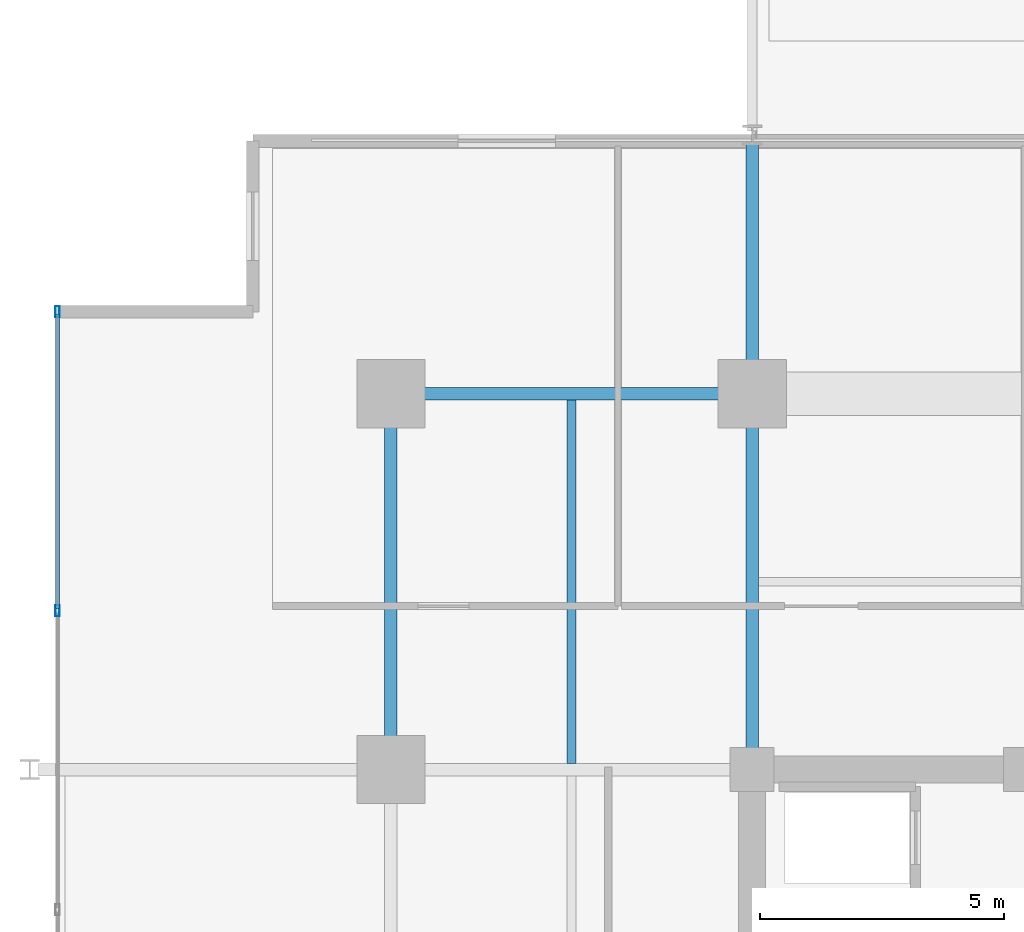
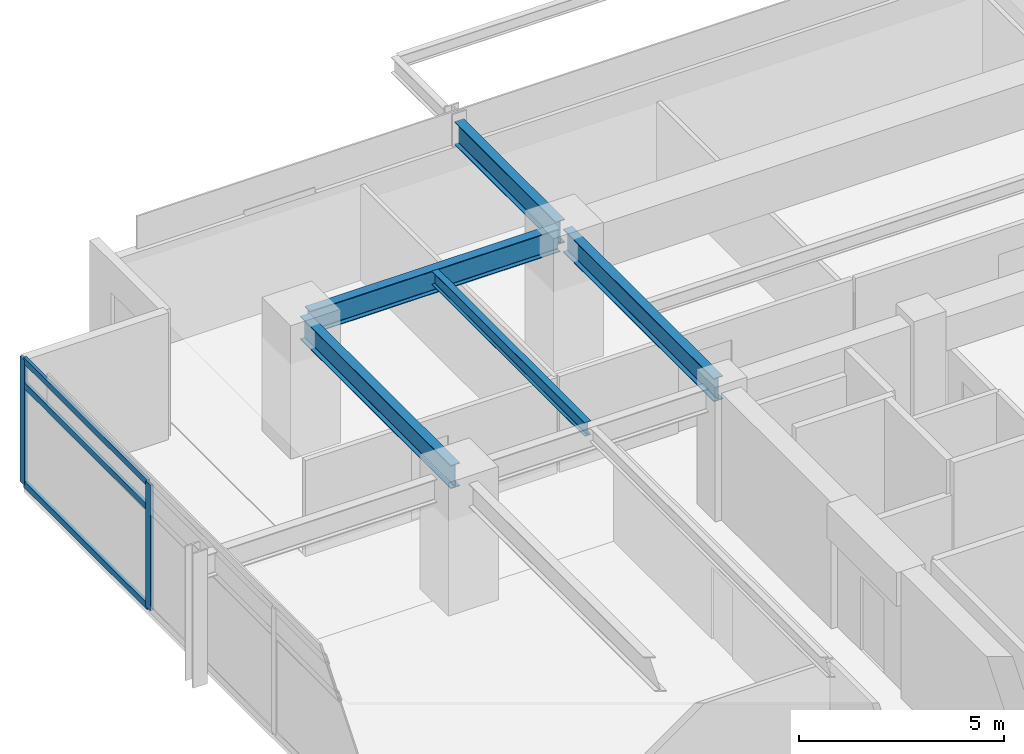
# One storey, part 11 of 20: 5 beams, 5 members, 1 element without a shape of its own.
"""IFC4 building model written with IfcOpenShell, lengths in metres."""

from ifc_helpers import new_model, si_unit, direction, frame, origin, origin_2d, place, context, subcontext, project, spatial, hollow_rectangle, i_section, extrude, material, material_profile, profile_set, type_object, element, aggregate, save


model = new_model("IFC4")

# Units and contexts
model_context = context("Model", 3, precision=1e-05, world=origin(), true_north=direction((0.0, 1.0)))
body_context = subcontext(model_context, "Body", "Model", "MODEL_VIEW")
ifc_project = project(units=[si_unit("LENGTHUNIT", "METRE"), si_unit("AREAUNIT", "SQUARE_METRE"), si_unit("VOLUMEUNIT", "CUBIC_METRE"), si_unit("PLANEANGLEUNIT", "RADIAN"), si_unit("MASSUNIT", "GRAM", prefix="KILO")], contexts=[model_context])

# Site, building, storey
site_placement = place(None, origin())
site = spatial("IfcSite", under=ifc_project, at=site_placement, CompositionType="ELEMENT")
building_placement = place(site_placement, origin())
building = spatial("IfcBuilding", under=site, at=building_placement, Name="Kovane Verandah Tower", CompositionType="ELEMENT")
storey_placement = place(building_placement, frame((0.0, 0.0, 213.199951171875)))
storey = spatial("IfcBuildingStorey", under=building, at=storey_placement, Name="L49", CompositionType="ELEMENT", Elevation=213.199951171875)

# Beams
ifc_material_1 = material(Name="Steel S355", Category="steel")
ifc_material_profile_1 = material_profile(ifc_material_1, i_section(OverallWidth=0.255859375, OverallDepth=0.69287109375, WebThickness=0.014404296875, FlangeThickness=0.023681640625, FilletRadius=0.01513671875, at=origin_2d()), Name="UB686x254x170")
ifc_profile_set_1 = profile_set([ifc_material_profile_1], Name="Steel S355")
beam_type_1 = type_object("IfcBeamType", Name="BM-UB686x170", PredefinedType="BEAM", material=ifc_profile_set_1)
beam_1_placement = place(storey_placement, frame((21.780029296875, 44.199951171875, 3.428466796875), z_axis=(1.0, 0.0, 0.0), x_axis=(0.0, 1.0, 0.0)))
element("IfcBeam", 1, at=beam_1_placement, inside=storey, type_object=beam_type_1, Name="L49 Primary Tower Girder G-RN1", PredefinedType="BEAM", context=body_context, shape_type="SweptSolid", body=[
    extrude(i_section(OverallWidth=0.255859375, OverallDepth=0.69287109375, WebThickness=0.014404296875, FlangeThickness=0.023681640625, FilletRadius=0.01513671875, at=origin_2d()), origin(), (0.0, 0.0, 1.0), 7.0400390625),
])
for number, where, z_axis, x_axis, name in (
    (2, (21.60009765625, 36.679931640625, 3.428466796875), (0.0, 1.0, 0.0), (-1.0, 0.0, 0.0), "L49 Primary Tower Girder G-RW3"),
    (3, (29.0, 36.679931640625, 3.428466796875), (0.0, 1.0, 0.0), (-1.0, 0.0, 0.0), "L49 Primary Tower Girder G-N1"),
):
    element("IfcBeam", number, at=place(storey_placement, frame(where, z_axis=z_axis, x_axis=x_axis)), inside=storey, type_object=beam_type_1, Name=name, PredefinedType="BEAM", context=body_context, shape_type="SweptSolid", body=[
        extrude(i_section(OverallWidth=0.255859375, OverallDepth=0.69287109375, WebThickness=0.014404296875, FlangeThickness=0.023681640625, FilletRadius=0.01513671875, at=origin_2d()), origin(), (0.0, 0.0, 1.0), 7.340087890625),
    ])
beam_2_placement = place(storey_placement, frame((29.0, 44.3798828125, 3.41357421875), z_axis=(0.0, 1.0, 0.0), x_axis=(-1.0, 0.0, 0.0)))
element("IfcBeam", 4, at=beam_2_placement, inside=storey, type_object=beam_type_1, Name="L49 Primary Tower Girder G-VN1", PredefinedType="BEAM", context=body_context, shape_type="SweptSolid", body=[
    extrude(i_section(OverallWidth=0.255859375, OverallDepth=0.69287109375, WebThickness=0.014404296875, FlangeThickness=0.023681640625, FilletRadius=0.01513671875, at=origin_2d()), origin(), (0.0, 0.0, 1.0), 4.940185546875),
])

# Curtain wall, members
ifc_material_2 = material(Name="Champagne Anodised Aluminium Frame with Low-E Clear Laminated Glass", Category="aluminium")
curtain_wall_type = type_object("IfcCurtainWallType", Name="CW-SYS-03-MID", PredefinedType="NOTDEFINED", material=ifc_material_2)
curtain_wall_placement = place(storey_placement, origin())
curtain_wall = element("IfcCurtainWall", 5, at=curtain_wall_placement, inside=storey, type_object=curtain_wall_type, Name="L49 W Unitised Curtain Wall", PredefinedType="NOTDEFINED")
ifc_material_3 = material(Name="Champagne Anodised Aluminium 6063-T6", Category="aluminium")
ifc_material_profile_2 = material_profile(ifc_material_3, hollow_rectangle(XDim=0.0849609375, YDim=0.22998046875, WallThickness=0.00390625, at=origin_2d()), Name="AL85x230x4")
ifc_profile_set_2 = profile_set([ifc_material_profile_2], Name="Champagne Anodised Aluminium 6063-T6")
member_type_1 = type_object("IfcMemberType", Name="CW-MUL-85x230", PredefinedType="MULLION", material=ifc_profile_set_2)
member_1_placement = place(storey_placement, frame((14.768310546875, 45.880615234375, 0.02001953125), z_axis=(0.0, 0.0, 1.0), x_axis=(-1.0, 0.0, 0.0)))
member_1 = element("IfcMember", 6, at=member_1_placement, type_object=member_type_1, Name="L49 W Unitised Curtain Wall Mullion 1", PredefinedType="MULLION", context=body_context, shape_type="SweptSolid", body=[
    extrude(hollow_rectangle(XDim=0.0849609375, YDim=0.22998046875, WallThickness=0.00390625, at=origin_2d()), origin(), (0.0, 0.0, 1.0), 3.735107421875),
])
member_2_placement = place(storey_placement, frame((14.768310546875, 39.753662109375, 0.02001953125), z_axis=(0.0, 0.0, 1.0), x_axis=(-1.0, 0.0, 0.0)))
member_2 = element("IfcMember", 7, at=member_2_placement, type_object=member_type_1, Name="L49 W Unitised Curtain Wall Mullion 2", PredefinedType="MULLION", context=body_context, shape_type="SweptSolid", body=[
    extrude(hollow_rectangle(XDim=0.0849609375, YDim=0.22998046875, WallThickness=0.00390625, at=origin_2d()), origin(), (0.0, 0.0, 1.0), 3.735107421875),
])
ifc_material_profile_3 = material_profile(ifc_material_3, hollow_rectangle(XDim=0.0849609375, YDim=0.18994140625, WallThickness=0.00390625, at=origin_2d()), Name="AL85x190x4")
ifc_profile_set_3 = profile_set([ifc_material_profile_3], Name="Champagne Anodised Aluminium 6063-T6")
member_type_2 = type_object("IfcMemberType", Name="CW-TRN-85x190", PredefinedType="USERDEFINED", material=ifc_profile_set_3)
member_3_placement = place(storey_placement, frame((14.768310546875, 45.83056640625, 0.050048828125), z_axis=(0.0, -1.0, 0.0), x_axis=(1.0, 0.0, 0.0)))
member_3 = element("IfcMember", 8, at=member_3_placement, type_object=member_type_2, Name="L49 W Unitised Curtain Wall Transom TB Bay 1", ObjectType="TRANSOM", PredefinedType="USERDEFINED", context=body_context, shape_type="SweptSolid", body=[
    extrude(hollow_rectangle(XDim=0.0849609375, YDim=0.18994140625, WallThickness=0.00390625, at=origin_2d()), origin(), (0.0, 0.0, 1.0), 6.02685546875),
])
member_4_placement = place(storey_placement, frame((14.768310546875, 45.83056640625, 2.9951171875), z_axis=(0.0, -1.0, 0.0), x_axis=(1.0, 0.0, 0.0)))
member_4 = element("IfcMember", 9, at=member_4_placement, type_object=member_type_2, Name="L49 W Unitised Curtain Wall Transom TM Bay 1", ObjectType="TRANSOM", PredefinedType="USERDEFINED", context=body_context, shape_type="SweptSolid", body=[
    extrude(hollow_rectangle(XDim=0.0849609375, YDim=0.18994140625, WallThickness=0.00390625, at=origin_2d()), origin(), (0.0, 0.0, 1.0), 6.02685546875),
])
member_5_placement = place(storey_placement, frame((14.768310546875, 45.83056640625, 3.72509765625), z_axis=(0.0, -1.0, 0.0), x_axis=(1.0, 0.0, 0.0)))
member_5 = element("IfcMember", 10, at=member_5_placement, type_object=member_type_2, Name="L49 W Unitised Curtain Wall Transom TT Bay 1", ObjectType="TRANSOM", PredefinedType="USERDEFINED", context=body_context, shape_type="SweptSolid", body=[
    extrude(hollow_rectangle(XDim=0.0849609375, YDim=0.18994140625, WallThickness=0.00390625, at=origin_2d()), origin(), (0.0, 0.0, 1.0), 6.02685546875),
])
aggregate(curtain_wall, [member_1, member_2, member_3, member_4, member_5])

# Beam
ifc_material_profile_4 = material_profile(ifc_material_1, i_section(OverallWidth=0.179443359375, OverallDepth=0.412841796875, WebThickness=0.009521484375, FlangeThickness=0.01611328125, FilletRadius=0.01025390625, at=origin_2d()), Name="UB406x178x74")
ifc_profile_set_4 = profile_set([ifc_material_profile_4], Name="Steel S355")
beam_type_2 = type_object("IfcBeamType", Name="JST-UB406x74", PredefinedType="JOIST", material=ifc_profile_set_4)
beam_3_placement = place(storey_placement, frame((25.300048828125, 36.6259765625, 3.568603515625), z_axis=(0.0, 1.0, 0.0), x_axis=(-1.0, 0.0, 0.0)))
element("IfcBeam", 11, at=beam_3_placement, inside=storey, type_object=beam_type_2, Name="L49 Secondary Composite Joist J-NW1", PredefinedType="JOIST", context=body_context, shape_type="SweptSolid", body=[
    extrude(i_section(OverallWidth=0.179443359375, OverallDepth=0.412841796875, WebThickness=0.009521484375, FlangeThickness=0.01611328125, FilletRadius=0.01025390625, at=origin_2d()), origin(), (0.0, 0.0, 1.0), 7.4482421875),
])

save(model, "model.ifc")
